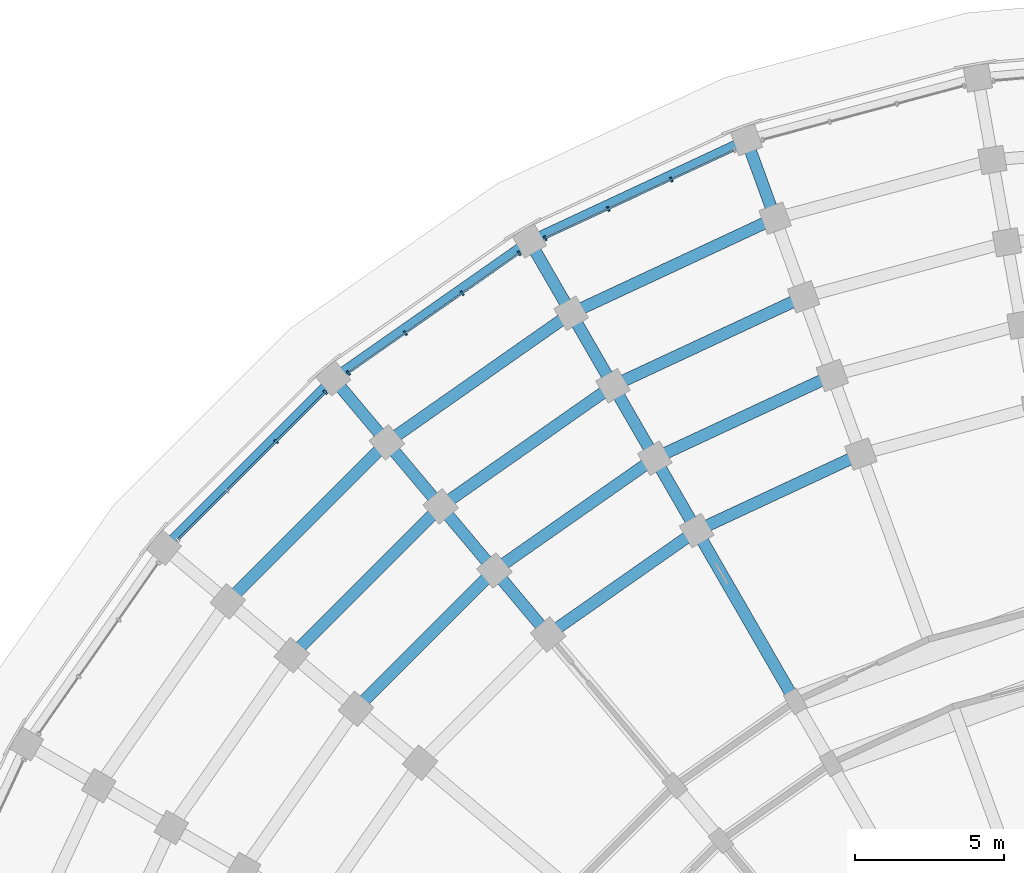
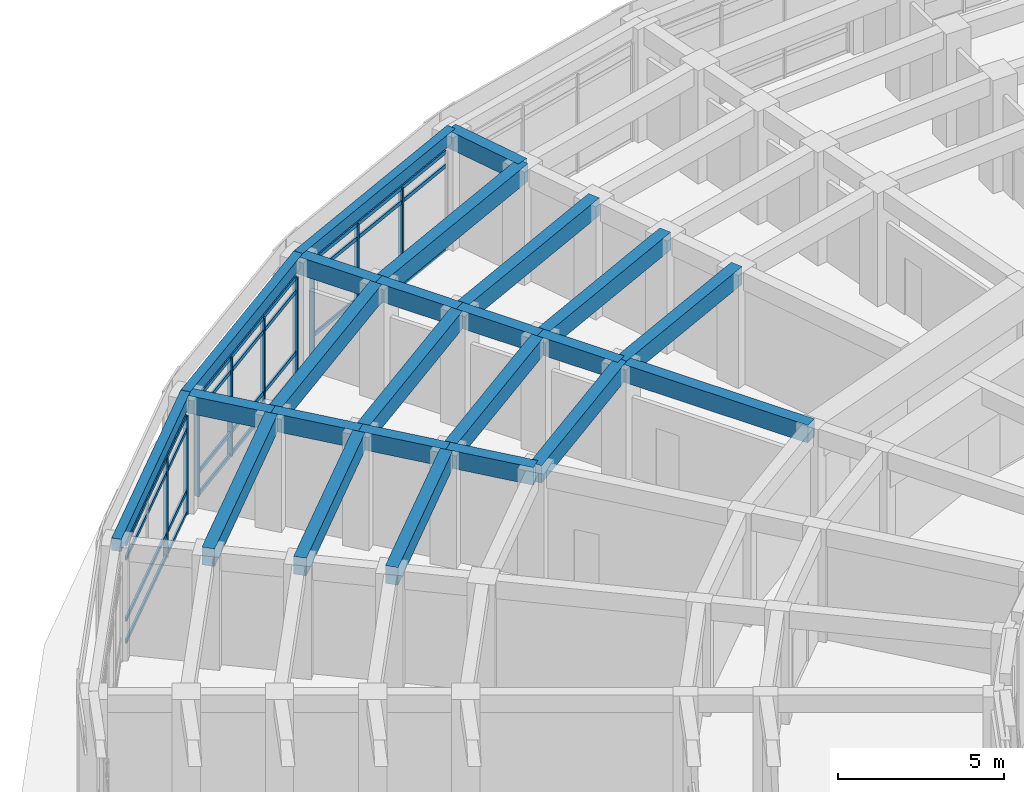
# One storey, part 39 of 135: 24 beams, 21 members, 3 elements without a shape of their own.
"""IFC4 building model written with IfcOpenShell, lengths in metres."""

from ifc_helpers import new_model, si_unit, direction, frame, origin, origin_2d, place, context, subcontext, project, spatial, rectangle, extrude, material, material_profile, profile_set, type_object, element, aggregate, save


model = new_model("IFC4")

# Units and contexts
model_context = context("Model", 3, precision=1e-05, world=origin(), true_north=direction((0.0, 1.0)))
body_context = subcontext(model_context, "Body", "Model", "MODEL_VIEW")
ifc_project = project(units=[si_unit("LENGTHUNIT", "METRE"), si_unit("AREAUNIT", "SQUARE_METRE"), si_unit("VOLUMEUNIT", "CUBIC_METRE"), si_unit("PLANEANGLEUNIT", "RADIAN"), si_unit("MASSUNIT", "GRAM", prefix="KILO")], contexts=[model_context])

# Site, building, storey
site_placement = place(None, origin())
site = spatial("IfcSite", under=ifc_project, at=site_placement, CompositionType="ELEMENT")
building_placement = place(site_placement, origin())
building = spatial("IfcBuilding", under=site, at=building_placement, Name="Kiranvali Square Residences", CompositionType="ELEMENT")
storey_placement = place(building_placement, origin())
storey = spatial("IfcBuildingStorey", under=building, at=storey_placement, Name="L00", CompositionType="ELEMENT", Elevation=0.0)

# Beams
ifc_material_1 = material(Name="Concrete M45 (45 MPa)", Category="concrete")
ifc_material_profile_1 = material_profile(ifc_material_1, rectangle(XDim=0.39990234375, YDim=0.64990234375, at=origin_2d()), Name="RC 400x650")
ifc_profile_set_1 = profile_set([ifc_material_profile_1], Name="Concrete M45 (45 MPa)")
beam_type_1 = type_object("IfcBeamType", Name="BM-M45-400x650", PredefinedType="BEAM", material=ifc_profile_set_1)
beam_1_placement = place(storey_placement, frame((36.297607421875, 120.501220703125, 3.824951171875), z_axis=(-0.906312656069, -0.42260781991, 0.0), x_axis=(0.42260781991, -0.906312656069, 0.0)))
element("IfcBeam", 1, at=beam_1_placement, inside=storey, type_object=beam_type_1, Name="L00 beam BM-A-L00-C02-R3", PredefinedType="BEAM", context=body_context, shape_type="SweptSolid", body=[
    extrude(rectangle(XDim=0.39990234375, YDim=0.64990234375, at=origin_2d()), origin(), (0.0, 0.0, 1.0), 6.06591796875),
])
beam_2_placement = place(storey_placement, frame((35.340087890625, 123.13232421875, 3.824951171875), z_axis=(-0.906318225223, -0.422595876255, 0.0), x_axis=(0.422595876255, -0.906318225223, 0.0)))
element("IfcBeam", 2, at=beam_2_placement, inside=storey, type_object=beam_type_1, Name="L00 beam BM-A-L00-C02-R4", PredefinedType="BEAM", context=body_context, shape_type="SweptSolid", body=[
    extrude(rectangle(XDim=0.39990234375, YDim=0.64990234375, at=origin_2d()), origin(), (0.0, 0.0, 1.0), 6.55419921875),
])
beam_3_placement = place(storey_placement, frame((34.38232421875, 125.763671875, 3.824951171875), z_axis=(-0.906297360311, -0.422640621205, 0.0), x_axis=(0.422640621205, -0.906297360311, 0.0)))
element("IfcBeam", 3, at=beam_3_placement, inside=storey, type_object=beam_type_1, Name="L00 beam BM-A-L00-C02-R5", PredefinedType="BEAM", context=body_context, shape_type="SweptSolid", body=[
    extrude(rectangle(XDim=0.39990234375, YDim=0.64990234375, at=origin_2d()), origin(), (0.0, 0.0, 1.0), 7.042236328125),
])
beam_4_placement = place(storey_placement, frame((33.4248046875, 128.394775390625, 3.824951171875), z_axis=(-0.90630982703, -0.422613886933, 0.0), x_axis=(0.422613886933, -0.90630982703, 0.0)))
element("IfcBeam", 4, at=beam_4_placement, inside=storey, type_object=beam_type_1, Name="L00 beam BM-A-L00-C02-R6", PredefinedType="BEAM", context=body_context, shape_type="SweptSolid", body=[
    extrude(rectangle(XDim=0.39990234375, YDim=0.64990234375, at=origin_2d()), origin(), (0.0, 0.0, 1.0), 7.5302734375),
])
beam_5_placement = place(storey_placement, frame((30.800048828125, 117.937744140625, 3.824951171875), z_axis=(-0.81913926159, -0.573594691504, 0.0), x_axis=(0.573594691504, -0.81913926159, 0.0)))
element("IfcBeam", 5, at=beam_5_placement, inside=storey, type_object=beam_type_1, Name="L00 beam BM-A-L00-C03-R3", PredefinedType="BEAM", context=body_context, shape_type="SweptSolid", body=[
    extrude(rectangle(XDim=0.39990234375, YDim=0.64990234375, at=origin_2d()), origin(), (0.0, 0.0, 1.0), 6.066162109375),
])
beam_6_placement = place(storey_placement, frame((29.39990234375, 120.362548828125, 3.824951171875), z_axis=(-0.819144409176, -0.573587340268, 0.0), x_axis=(0.573587340268, -0.819144409176, 0.0)))
element("IfcBeam", 6, at=beam_6_placement, inside=storey, type_object=beam_type_1, Name="L00 beam BM-A-L00-C03-R4", PredefinedType="BEAM", context=body_context, shape_type="SweptSolid", body=[
    extrude(rectangle(XDim=0.39990234375, YDim=0.64990234375, at=origin_2d()), origin(), (0.0, 0.0, 1.0), 6.553955078125),
])
beam_7_placement = place(storey_placement, frame((28.0, 122.787353515625, 3.824951171875), z_axis=(-0.819160249246, -0.57356471828, 0.0), x_axis=(0.57356471828, -0.819160249246, 0.0)))
element("IfcBeam", 7, at=beam_7_placement, inside=storey, type_object=beam_type_1, Name="L00 beam BM-A-L00-C03-R5", PredefinedType="BEAM", context=body_context, shape_type="SweptSolid", body=[
    extrude(rectangle(XDim=0.39990234375, YDim=0.64990234375, at=origin_2d()), origin(), (0.0, 0.0, 1.0), 7.0419921875),
])
beam_8_placement = place(storey_placement, frame((26.60009765625, 125.21240234375, 3.824951171875), z_axis=(-0.819143569597, -0.573588539275, 0.0), x_axis=(0.573588539275, -0.819143569597, 0.0)))
element("IfcBeam", 8, at=beam_8_placement, inside=storey, type_object=beam_type_1, Name="L00 beam BM-A-L00-C03-R6", PredefinedType="BEAM", context=body_context, shape_type="SweptSolid", body=[
    extrude(rectangle(XDim=0.39990234375, YDim=0.64990234375, at=origin_2d()), origin(), (0.0, 0.0, 1.0), 7.5302734375),
])
beam_9_placement = place(storey_placement, frame((24.03125, 116.603271484375, 3.824951171875), z_axis=(-0.707106781187, -0.707106781187, 0.0), x_axis=(0.707106781187, -0.707106781187, 0.0)))
element("IfcBeam", 9, at=beam_9_placement, inside=storey, type_object=beam_type_1, Name="L00 beam BM-A-L00-C04-R4", PredefinedType="BEAM", context=body_context, shape_type="SweptSolid", body=[
    extrude(rectangle(XDim=0.39990234375, YDim=0.64990234375, at=origin_2d()), origin(), (0.0, 0.0, 1.0), 6.55419921875),
])
beam_10_placement = place(storey_placement, frame((22.2314453125, 118.748291015625, 3.824951171875), z_axis=(-0.707106781187, -0.707106781187, 0.0), x_axis=(0.707106781187, -0.707106781187, 0.0)))
element("IfcBeam", 10, at=beam_10_placement, inside=storey, type_object=beam_type_1, Name="L00 beam BM-A-L00-C04-R5", PredefinedType="BEAM", context=body_context, shape_type="SweptSolid", body=[
    extrude(rectangle(XDim=0.39990234375, YDim=0.64990234375, at=origin_2d()), origin(), (0.0, 0.0, 1.0), 7.04248046875),
])
beam_11_placement = place(storey_placement, frame((20.431640625, 120.89306640625, 3.824951171875), z_axis=(-0.707106781187, -0.707106781187, 0.0), x_axis=(0.707106781187, -0.707106781187, 0.0)))
element("IfcBeam", 11, at=beam_11_placement, inside=storey, type_object=beam_type_1, Name="L00 beam BM-A-L00-C04-R6", PredefinedType="BEAM", context=body_context, shape_type="SweptSolid", body=[
    extrude(rectangle(XDim=0.39990234375, YDim=0.64990234375, at=origin_2d()), origin(), (0.0, 0.0, 1.0), 7.5302734375),
])
beam_12_placement = place(storey_placement, frame((33.4248046875, 128.394775390625, 3.824951171875), z_axis=(-0.342058084236, 0.939678810556, 0.0), x_axis=(-0.939678810556, -0.342058084236, 0.0)))
element("IfcBeam", 12, at=beam_12_placement, inside=storey, type_object=beam_type_1, Name="L00 beam BM-A-L00-RAD02-67", PredefinedType="BEAM", context=body_context, shape_type="SweptSolid", body=[
    extrude(rectangle(XDim=0.39990234375, YDim=0.64990234375, at=origin_2d()), origin(), (0.0, 0.0, 1.0), 2.800048828125),
])
beam_13_placement = place(storey_placement, frame((34.10009765625, 112.221923828125, 3.824951171875), z_axis=(-0.500002094529, 0.866024194504, 0.0), x_axis=(-0.866024194504, -0.500002094529, 0.0)))
element("IfcBeam", 13, at=beam_13_placement, inside=storey, type_object=beam_type_1, Name="L00 beam BM-A-L00-RAD03-23", PredefinedType="BEAM", context=body_context, shape_type="SweptSolid", body=[
    extrude(rectangle(XDim=0.39990234375, YDim=0.64990234375, at=origin_2d()), origin(), (0.0, 0.0, 1.0), 6.60009765625),
])
beam_14_placement = place(storey_placement, frame((30.800048828125, 117.937744140625, 3.824951171875), z_axis=(-0.500049511043, 0.865996816683, 0.0), x_axis=(-0.865996816683, -0.500049511043, 0.0)))
element("IfcBeam", 14, at=beam_14_placement, inside=storey, type_object=beam_type_1, Name="L00 beam BM-A-L00-RAD03-34", PredefinedType="BEAM", context=body_context, shape_type="SweptSolid", body=[
    extrude(rectangle(XDim=0.39990234375, YDim=0.64990234375, at=origin_2d()), origin(), (0.0, 0.0, 1.0), 2.800048828125),
])
beam_15_placement = place(storey_placement, frame((29.39990234375, 120.362548828125, 3.824951171875), z_axis=(-0.49998411664, 0.866034573852, 0.0), x_axis=(-0.866034573852, -0.49998411664, 0.0)))
element("IfcBeam", 15, at=beam_15_placement, inside=storey, type_object=beam_type_1, Name="L00 beam BM-A-L00-RAD03-45", PredefinedType="BEAM", context=body_context, shape_type="SweptSolid", body=[
    extrude(rectangle(XDim=0.39990234375, YDim=0.64990234375, at=origin_2d()), origin(), (0.0, 0.0, 1.0), 2.7998046875),
])
for number, where, z_axis, x_axis, name in (
    (16, (28.0, 122.787353515625, 3.824951171875), (-0.49994636267, 0.866056369097, 0.0), (-0.866056369097, -0.49994636267, 0.0), "L00 beam BM-A-L00-RAD03-56"),
    (17, (26.60009765625, 125.21240234375, 3.824951171875), (-0.500049511043, 0.865996816683, 0.0), (-0.865996816683, -0.500049511043, 0.0), "L00 beam BM-A-L00-RAD03-67"),
    (18, (25.8310546875, 114.458251953125, 3.824951171875), (-0.642770757628, 0.766058583359, 0.0), (-0.766058583359, -0.642770757628, 0.0), "L00 beam BM-A-L00-RAD04-34"),
    (19, (24.03125, 116.603271484375, 3.824951171875), (-0.642770757628, 0.766058583359, 0.0), (-0.766058583359, -0.642770757628, 0.0), "L00 beam BM-A-L00-RAD04-45"),
):
    element("IfcBeam", number, at=place(storey_placement, frame(where, z_axis=z_axis, x_axis=x_axis)), inside=storey, type_object=beam_type_1, Name=name, PredefinedType="BEAM", context=body_context, shape_type="SweptSolid", body=[
        extrude(rectangle(XDim=0.39990234375, YDim=0.64990234375, at=origin_2d()), origin(), (0.0, 0.0, 1.0), 2.800048828125),
    ])
beam_16_placement = place(storey_placement, frame((22.2314453125, 118.748291015625, 3.824951171875), z_axis=(-0.642813692253, 0.76602255649, 0.0), x_axis=(-0.76602255649, -0.642813692253, 0.0)))
element("IfcBeam", 20, at=beam_16_placement, inside=storey, type_object=beam_type_1, Name="L00 beam BM-A-L00-RAD04-56", PredefinedType="BEAM", context=body_context, shape_type="SweptSolid", body=[
    extrude(rectangle(XDim=0.39990234375, YDim=0.64990234375, at=origin_2d()), origin(), (0.0, 0.0, 1.0), 2.7998046875),
])
beam_17_placement = place(storey_placement, frame((20.431640625, 120.89306640625, 3.824951171875), z_axis=(-0.642770757628, 0.766058583359, 0.0), x_axis=(-0.766058583359, -0.642770757628, 0.0)))
element("IfcBeam", 21, at=beam_17_placement, inside=storey, type_object=beam_type_1, Name="L00 beam BM-A-L00-RAD04-67", PredefinedType="BEAM", context=body_context, shape_type="SweptSolid", body=[
    extrude(rectangle(XDim=0.39990234375, YDim=0.64990234375, at=origin_2d()), origin(), (0.0, 0.0, 1.0), 2.800048828125),
])

# Curtain wall, members
ifc_material_2 = material(Name="Anodised bronze aluminium framing", Category="aluminium")
curtain_wall_type = type_object("IfcCurtainWallType", Name="CW-RET-SHOP", PredefinedType="USERDEFINED", material=ifc_material_2)
curtain_wall_1_placement = place(storey_placement, origin())
curtain_wall_1 = element("IfcCurtainWall", 22, at=curtain_wall_1_placement, inside=storey, type_object=curtain_wall_type, Name="Block A L00 rounded-corner arcade curtain wall 3", ObjectType="CURTAIN WALL", PredefinedType="USERDEFINED")
ifc_material_profile_2 = material_profile(ifc_material_2, rectangle(XDim=0.06494140625, YDim=0.159912109375, at=origin_2d()), Name="ALU 65x160")
ifc_profile_set_2 = profile_set([ifc_material_profile_2], Name="Anodised bronze aluminium framing")
member_type_1 = type_object("IfcMemberType", Name="CW-MUL-160", PredefinedType="MULLION", material=ifc_profile_set_2)
member_1_placement = place(storey_placement, frame((29.950927734375, 129.68701171875, 0.02001953125), z_axis=(0.0, 0.0, 1.0), x_axis=(-0.906307787037, -0.422618261741, 0.0)))
member_1 = element("IfcMember", 23, at=member_1_placement, type_object=member_type_1, Name="CW-A-L00-CRV-02 vertical mullion 2", PredefinedType="MULLION", context=body_context, shape_type="SweptSolid", body=[
    extrude(rectangle(XDim=0.06494140625, YDim=0.159912109375, at=origin_2d()), origin(), (0.0, 0.0, 1.0), 3.60986328125),
])
member_2_placement = place(storey_placement, frame((27.8427734375, 128.7041015625, 0.02001953125), z_axis=(0.0, 0.0, 1.0), x_axis=(-0.906307787037, -0.422618261741, 0.0)))
member_2 = element("IfcMember", 24, at=member_2_placement, type_object=member_type_1, Name="CW-A-L00-CRV-02 vertical mullion 3", PredefinedType="MULLION", context=body_context, shape_type="SweptSolid", body=[
    extrude(rectangle(XDim=0.06494140625, YDim=0.159912109375, at=origin_2d()), origin(), (0.0, 0.0, 1.0), 3.60986328125),
])
member_3_placement = place(storey_placement, frame((25.734619140625, 127.720947265625, 0.02001953125), z_axis=(0.0, 0.0, 1.0), x_axis=(-0.906307787037, -0.422618261741, 0.0)))
member_3 = element("IfcMember", 25, at=member_3_placement, type_object=member_type_1, Name="CW-A-L00-CRV-02 vertical mullion 4", PredefinedType="MULLION", context=body_context, shape_type="SweptSolid", body=[
    extrude(rectangle(XDim=0.06494140625, YDim=0.159912109375, at=origin_2d()), origin(), (0.0, 0.0, 1.0), 3.60986328125),
])

curtain_wall_2_placement = place(storey_placement, origin())
curtain_wall_2 = element("IfcCurtainWall", 26, at=curtain_wall_2_placement, inside=storey, type_object=curtain_wall_type, Name="Block A L00 rounded-corner arcade curtain wall 4", ObjectType="CURTAIN WALL", PredefinedType="USERDEFINED")
member_4_placement = place(storey_placement, frame((24.860107421875, 127.216064453125, 0.02001953125), z_axis=(0.0, 0.0, 1.0), x_axis=(-0.819152044289, -0.573576436351, 0.0)))
member_4 = element("IfcMember", 27, at=member_4_placement, type_object=member_type_1, Name="CW-A-L00-CRV-03 vertical mullion 1", PredefinedType="MULLION", context=body_context, shape_type="SweptSolid", body=[
    extrude(rectangle(XDim=0.06494140625, YDim=0.159912109375, at=origin_2d()), origin(), (0.0, 0.0, 1.0), 3.60986328125),
])
member_5_placement = place(storey_placement, frame((22.95458984375, 125.8818359375, 0.02001953125), z_axis=(0.0, 0.0, 1.0), x_axis=(-0.819152044289, -0.573576436351, 0.0)))
member_5 = element("IfcMember", 28, at=member_5_placement, type_object=member_type_1, Name="CW-A-L00-CRV-03 vertical mullion 2", PredefinedType="MULLION", context=body_context, shape_type="SweptSolid", body=[
    extrude(rectangle(XDim=0.06494140625, YDim=0.159912109375, at=origin_2d()), origin(), (0.0, 0.0, 1.0), 3.60986328125),
])
member_6_placement = place(storey_placement, frame((21.04931640625, 124.547607421875, 0.02001953125), z_axis=(0.0, 0.0, 1.0), x_axis=(-0.819152044289, -0.573576436351, 0.0)))
member_6 = element("IfcMember", 29, at=member_6_placement, type_object=member_type_1, Name="CW-A-L00-CRV-03 vertical mullion 3", PredefinedType="MULLION", context=body_context, shape_type="SweptSolid", body=[
    extrude(rectangle(XDim=0.06494140625, YDim=0.159912109375, at=origin_2d()), origin(), (0.0, 0.0, 1.0), 3.60986328125),
])
member_7_placement = place(storey_placement, frame((19.143798828125, 123.21337890625, 0.02001953125), z_axis=(0.0, 0.0, 1.0), x_axis=(-0.819152044289, -0.573576436351, 0.0)))
member_7 = element("IfcMember", 30, at=member_7_placement, type_object=member_type_1, Name="CW-A-L00-CRV-03 vertical mullion 4", PredefinedType="MULLION", context=body_context, shape_type="SweptSolid", body=[
    extrude(rectangle(XDim=0.06494140625, YDim=0.159912109375, at=origin_2d()), origin(), (0.0, 0.0, 1.0), 3.60986328125),
])

curtain_wall_3_placement = place(storey_placement, origin())
curtain_wall_3 = element("IfcCurtainWall", 31, at=curtain_wall_3_placement, inside=storey, type_object=curtain_wall_type, Name="Block A L00 rounded-corner arcade curtain wall 5", ObjectType="CURTAIN WALL", PredefinedType="USERDEFINED")
member_8_placement = place(storey_placement, frame((18.3701171875, 122.564208984375, 0.02001953125), z_axis=(0.0, 0.0, 1.0), x_axis=(-0.707106781187, -0.707106781187, 0.0)))
member_8 = element("IfcMember", 32, at=member_8_placement, type_object=member_type_1, Name="CW-A-L00-CRV-04 vertical mullion 1", PredefinedType="MULLION", context=body_context, shape_type="SweptSolid", body=[
    extrude(rectangle(XDim=0.06494140625, YDim=0.159912109375, at=origin_2d()), origin(), (0.0, 0.0, 1.0), 3.60986328125),
])
member_9_placement = place(storey_placement, frame((16.725341796875, 120.91943359375, 0.02001953125), z_axis=(0.0, 0.0, 1.0), x_axis=(-0.707106781187, -0.707106781187, 0.0)))
member_9 = element("IfcMember", 33, at=member_9_placement, type_object=member_type_1, Name="CW-A-L00-CRV-04 vertical mullion 2", PredefinedType="MULLION", context=body_context, shape_type="SweptSolid", body=[
    extrude(rectangle(XDim=0.06494140625, YDim=0.159912109375, at=origin_2d()), origin(), (0.0, 0.0, 1.0), 3.60986328125),
])

# Member
ifc_material_profile_3 = material_profile(ifc_material_2, rectangle(XDim=0.06494140625, YDim=0.139892578125, at=origin_2d()), Name="ALU 65x140")
ifc_profile_set_3 = profile_set([ifc_material_profile_3], Name="Anodised bronze aluminium framing")
member_type_2 = type_object("IfcMemberType", Name="CW-TRN-140", PredefinedType="MULLION", material=ifc_profile_set_3)
member_10_placement = place(storey_placement, frame((32.050048828125, 130.666015625, 0.0400390625), z_axis=(-0.90629694339, -0.422641515237, 0.0), x_axis=(0.422641515237, -0.90629694339, 0.0)))
member_10 = element("IfcMember", 34, at=member_10_placement, type_object=member_type_2, Name="CW-A-L00-CRV-02 horizontal transom 1", PredefinedType="MULLION", context=body_context, shape_type="SweptSolid", body=[
    extrude(rectangle(XDim=0.06494140625, YDim=0.139892578125, at=origin_2d()), origin(), (0.0, 0.0, 1.0), 6.95849609375),
])

member_11_placement = place(storey_placement, frame((32.050048828125, 130.666015625, 0.85009765625), z_axis=(-0.90629694339, -0.422641515237, 0.0), x_axis=(0.422641515237, -0.90629694339, 0.0)))
member_11 = element("IfcMember", 35, at=member_11_placement, type_object=member_type_2, Name="CW-A-L00-CRV-02 horizontal transom 2", PredefinedType="MULLION", context=body_context, shape_type="SweptSolid", body=[
    extrude(rectangle(XDim=0.06494140625, YDim=0.139892578125, at=origin_2d()), origin(), (0.0, 0.0, 1.0), 6.95849609375),
])

member_12_placement = place(storey_placement, frame((32.050048828125, 130.666015625, 3.10009765625), z_axis=(-0.90629694339, -0.422641515237, 0.0), x_axis=(0.422641515237, -0.90629694339, 0.0)))
member_12 = element("IfcMember", 36, at=member_12_placement, type_object=member_type_2, Name="CW-A-L00-CRV-02 horizontal transom 3", PredefinedType="MULLION", context=body_context, shape_type="SweptSolid", body=[
    extrude(rectangle(XDim=0.06494140625, YDim=0.139892578125, at=origin_2d()), origin(), (0.0, 0.0, 1.0), 6.95849609375),
])

member_13_placement = place(storey_placement, frame((32.050048828125, 130.666015625, 3.610107421875), z_axis=(-0.90629694339, -0.422641515237, 0.0), x_axis=(0.422641515237, -0.90629694339, 0.0)))
member_13 = element("IfcMember", 37, at=member_13_placement, type_object=member_type_2, Name="CW-A-L00-CRV-02 horizontal transom 4", PredefinedType="MULLION", context=body_context, shape_type="SweptSolid", body=[
    extrude(rectangle(XDim=0.06494140625, YDim=0.139892578125, at=origin_2d()), origin(), (0.0, 0.0, 1.0), 6.95849609375),
])

aggregate(curtain_wall_1, [member_1, member_2, member_3, member_10, member_11, member_12, member_13])

member_14_placement = place(storey_placement, frame((24.851806640625, 127.210205078125, 0.0400390625), z_axis=(-0.819164332124, -0.573558887104, 0.0), x_axis=(0.573558887104, -0.819164332124, 0.0)))
member_14 = element("IfcMember", 38, at=member_14_placement, type_object=member_type_2, Name="CW-A-L00-CRV-03 horizontal transom 1", PredefinedType="MULLION", context=body_context, shape_type="SweptSolid", body=[
    extrude(rectangle(XDim=0.06494140625, YDim=0.139892578125, at=origin_2d()), origin(), (0.0, 0.0, 1.0), 6.958251953125),
])

member_15_placement = place(storey_placement, frame((24.851806640625, 127.210205078125, 0.85009765625), z_axis=(-0.819164332124, -0.573558887104, 0.0), x_axis=(0.573558887104, -0.819164332124, 0.0)))
member_15 = element("IfcMember", 39, at=member_15_placement, type_object=member_type_2, Name="CW-A-L00-CRV-03 horizontal transom 2", PredefinedType="MULLION", context=body_context, shape_type="SweptSolid", body=[
    extrude(rectangle(XDim=0.06494140625, YDim=0.139892578125, at=origin_2d()), origin(), (0.0, 0.0, 1.0), 6.958251953125),
])

member_16_placement = place(storey_placement, frame((24.851806640625, 127.210205078125, 3.10009765625), z_axis=(-0.819164332124, -0.573558887104, 0.0), x_axis=(0.573558887104, -0.819164332124, 0.0)))
member_16 = element("IfcMember", 40, at=member_16_placement, type_object=member_type_2, Name="CW-A-L00-CRV-03 horizontal transom 3", PredefinedType="MULLION", context=body_context, shape_type="SweptSolid", body=[
    extrude(rectangle(XDim=0.06494140625, YDim=0.139892578125, at=origin_2d()), origin(), (0.0, 0.0, 1.0), 6.958251953125),
])

member_17_placement = place(storey_placement, frame((24.851806640625, 127.210205078125, 3.610107421875), z_axis=(-0.819164332124, -0.573558887104, 0.0), x_axis=(0.573558887104, -0.819164332124, 0.0)))
member_17 = element("IfcMember", 41, at=member_17_placement, type_object=member_type_2, Name="CW-A-L00-CRV-03 horizontal transom 4", PredefinedType="MULLION", context=body_context, shape_type="SweptSolid", body=[
    extrude(rectangle(XDim=0.06494140625, YDim=0.139892578125, at=origin_2d()), origin(), (0.0, 0.0, 1.0), 6.958251953125),
])

aggregate(curtain_wall_2, [member_4, member_5, member_6, member_7, member_14, member_15, member_16, member_17])

member_18_placement = place(storey_placement, frame((18.363037109375, 122.55712890625, 0.0400390625), z_axis=(-0.707106781187, -0.707106781187, 0.0), x_axis=(0.707106781187, -0.707106781187, 0.0)))
member_18 = element("IfcMember", 42, at=member_18_placement, type_object=member_type_2, Name="CW-A-L00-CRV-04 horizontal transom 1", PredefinedType="MULLION", context=body_context, shape_type="SweptSolid", body=[
    extrude(rectangle(XDim=0.06494140625, YDim=0.139892578125, at=origin_2d()), origin(), (0.0, 0.0, 1.0), 6.958251953125),
])

member_19_placement = place(storey_placement, frame((18.363037109375, 122.55712890625, 0.85009765625), z_axis=(-0.707106781187, -0.707106781187, 0.0), x_axis=(0.707106781187, -0.707106781187, 0.0)))
member_19 = element("IfcMember", 43, at=member_19_placement, type_object=member_type_2, Name="CW-A-L00-CRV-04 horizontal transom 2", PredefinedType="MULLION", context=body_context, shape_type="SweptSolid", body=[
    extrude(rectangle(XDim=0.06494140625, YDim=0.139892578125, at=origin_2d()), origin(), (0.0, 0.0, 1.0), 6.958251953125),
])

member_20_placement = place(storey_placement, frame((18.363037109375, 122.55712890625, 3.10009765625), z_axis=(-0.707106781187, -0.707106781187, 0.0), x_axis=(0.707106781187, -0.707106781187, 0.0)))
member_20 = element("IfcMember", 44, at=member_20_placement, type_object=member_type_2, Name="CW-A-L00-CRV-04 horizontal transom 3", PredefinedType="MULLION", context=body_context, shape_type="SweptSolid", body=[
    extrude(rectangle(XDim=0.06494140625, YDim=0.139892578125, at=origin_2d()), origin(), (0.0, 0.0, 1.0), 6.958251953125),
])

member_21_placement = place(storey_placement, frame((18.363037109375, 122.55712890625, 3.610107421875), z_axis=(-0.707106781187, -0.707106781187, 0.0), x_axis=(0.707106781187, -0.707106781187, 0.0)))
member_21 = element("IfcMember", 45, at=member_21_placement, type_object=member_type_2, Name="CW-A-L00-CRV-04 horizontal transom 4", PredefinedType="MULLION", context=body_context, shape_type="SweptSolid", body=[
    extrude(rectangle(XDim=0.06494140625, YDim=0.139892578125, at=origin_2d()), origin(), (0.0, 0.0, 1.0), 6.958251953125),
])

aggregate(curtain_wall_3, [member_8, member_9, member_18, member_19, member_20, member_21])

# Beams
ifc_material_3 = material(Name="Concrete M40 (40 MPa)", Category="concrete")
ifc_material_profile_4 = material_profile(ifc_material_3, rectangle(XDim=0.300048828125, YDim=0.449951171875, at=origin_2d()), Name="RC 300x450")
ifc_profile_set_4 = profile_set([ifc_material_profile_4], Name="Concrete M40 (40 MPa)")
beam_type_2 = type_object("IfcBeamType", Name="SPN-M40-300x450", PredefinedType="SPANDREL", material=ifc_profile_set_4)
for number, where, z_axis, x_axis, name in (
    (46, (32.467041015625, 131.02587890625, 3.925048828125), (-0.906309113636, -0.422615416827, 0.0), (0.422615416827, -0.906309113636, 0.0), "L00 beam BM-A-L00-C02-R7"),
    (47, (25.199951171875, 127.63720703125, 3.925048828125), (-0.819147515001, -0.573582904791, 0.0), (0.573582904791, -0.819147515001, 0.0), "L00 beam BM-A-L00-C03-R7"),
):
    element("IfcBeam", number, at=place(storey_placement, frame(where, z_axis=z_axis, x_axis=x_axis)), inside=storey, type_object=beam_type_2, Name=name, PredefinedType="SPANDREL", context=body_context, shape_type="SweptSolid", body=[
        extrude(rectangle(XDim=0.300048828125, YDim=0.449951171875, at=origin_2d()), origin(), (0.0, 0.0, 1.0), 8.018310546875),
    ])
beam_18_placement = place(storey_placement, frame((18.6318359375, 123.0380859375, 3.925048828125), z_axis=(-0.707106781187, -0.707106781187, 0.0), x_axis=(0.707106781187, -0.707106781187, 0.0)))
element("IfcBeam", 48, at=beam_18_placement, inside=storey, type_object=beam_type_2, Name="L00 beam BM-A-L00-C04-R7", PredefinedType="SPANDREL", context=body_context, shape_type="SweptSolid", body=[
    extrude(rectangle(XDim=0.300048828125, YDim=0.449951171875, at=origin_2d()), origin(), (0.0, 0.0, 1.0), 8.0185546875),
])

save(model, "model.ifc")
